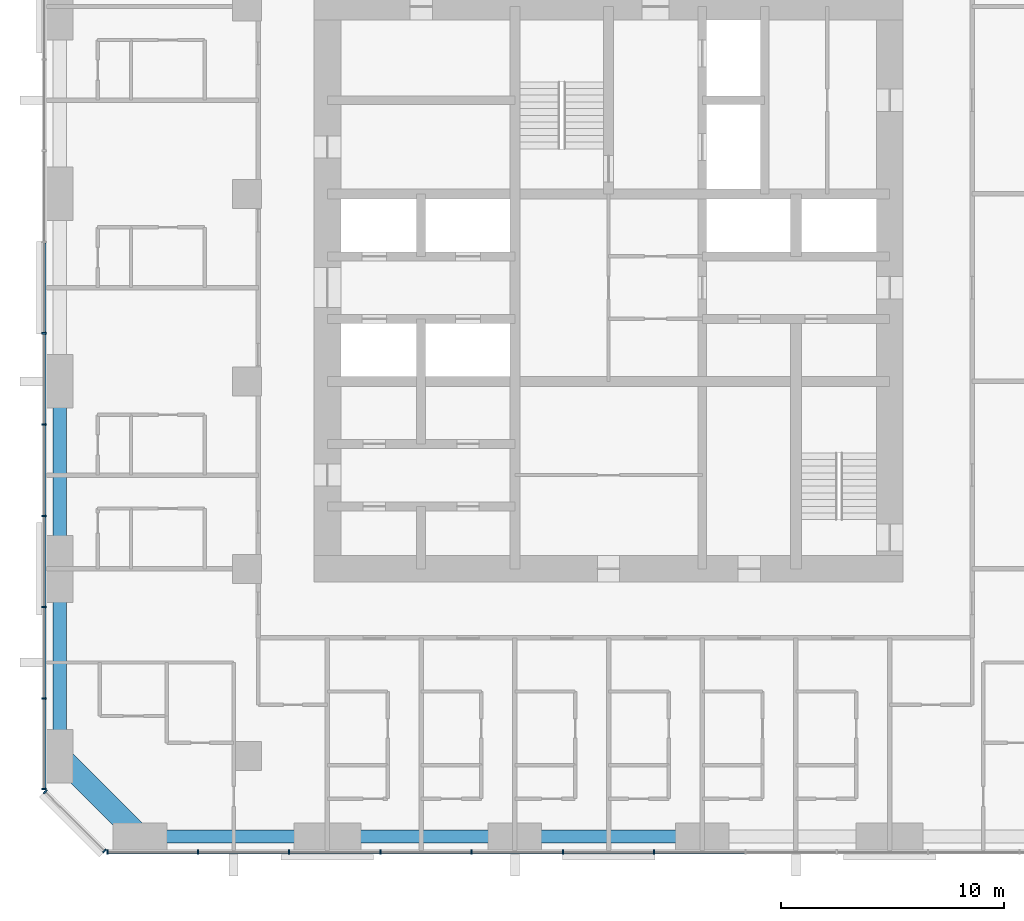
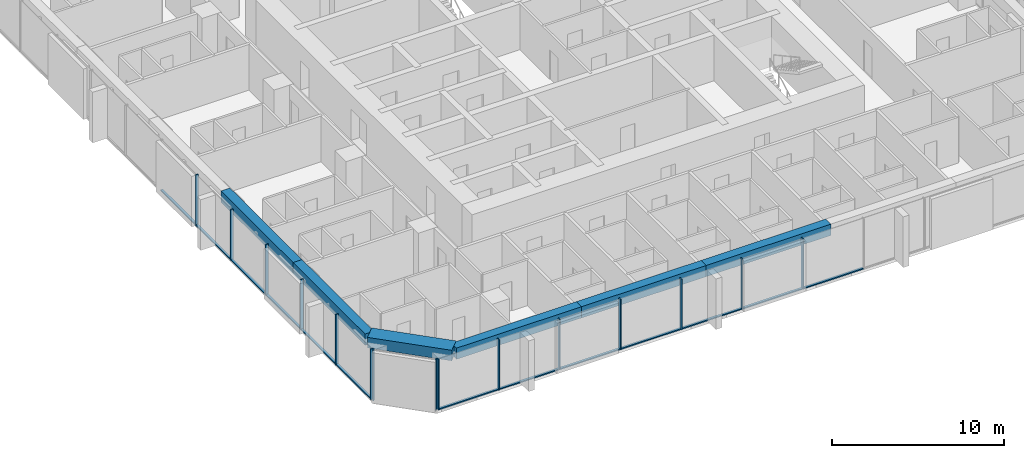
# One storey, part 2 of 14: 28 members, 6 beams, 3 elements without a shape of their own.
"""IFC4 building model written with IfcOpenShell, lengths in metres."""

from ifc_helpers import new_model, si_unit, direction, frame, origin, origin_2d, place, context, subcontext, project, spatial, rectangle, extrude, material, material_profile, profile_set, type_object, element, aggregate, save


model = new_model("IFC4")

# Units and contexts
model_context = context("Model", 3, precision=1e-05, world=origin(), true_north=direction((0.0, 1.0)))
body_context = subcontext(model_context, "Body", "Model", "MODEL_VIEW")
ifc_project = project(units=[si_unit("LENGTHUNIT", "METRE"), si_unit("AREAUNIT", "SQUARE_METRE"), si_unit("VOLUMEUNIT", "CUBIC_METRE"), si_unit("PLANEANGLEUNIT", "RADIAN"), si_unit("MASSUNIT", "GRAM", prefix="KILO")], contexts=[model_context])

# Site, building, storey
site_placement = place(None, origin())
site = spatial("IfcSite", under=ifc_project, at=site_placement, CompositionType="ELEMENT")
building_placement = place(site_placement, origin())
building = spatial("IfcBuilding", under=site, at=building_placement, Name="Dunama Terrace Hotel", CompositionType="ELEMENT")
storey_placement = place(building_placement, frame((0.0, 0.0, 213.0)))
storey = spatial("IfcBuildingStorey", under=building, at=storey_placement, Name="L55", CompositionType="ELEMENT", Elevation=213.0)

# Curtain wall, members
ifc_material_1 = material(Name="Aluminium curtain wall system", Category="aluminium")
curtain_wall_type = type_object("IfcCurtainWallType", Name="Unitised fritted glass wall CW-C", PredefinedType="NOTDEFINED", material=ifc_material_1)
curtain_wall_1_placement = place(storey_placement, origin())
curtain_wall_1 = element("IfcCurtainWall", 1, at=curtain_wall_1_placement, inside=storey, type_object=curtain_wall_type, Name="Unitised fritted glass wall CW-C L55", PredefinedType="NOTDEFINED")
ifc_material_2 = material(Name="Aluminium mullion", Category="aluminium")
ifc_material_profile_1 = material_profile(ifc_material_2, rectangle(XDim=0.070068359375, YDim=0.199951171875, at=origin_2d()), Name="CWC MULLION 70X200")
ifc_profile_set_1 = profile_set([ifc_material_profile_1], Name="Aluminium mullion")
member_type_1 = type_object("IfcMemberType", Name="CWC mullion 70x200", PredefinedType="MULLION", material=ifc_profile_set_1)
member_1_placement = place(storey_placement, frame((6.93505859375, 4.10009765625, 0.0), z_axis=(0.0, 0.0, 1.0), x_axis=(1.0, 0.0, 0.0)))
member_1 = element("IfcMember", 2, at=member_1_placement, type_object=member_type_1, Name="CWC mullion", PredefinedType="MULLION", context=body_context, shape_type="SweptSolid", body=[
    extrude(rectangle(XDim=0.070068359375, YDim=0.199951171875, at=origin_2d()), origin(), (0.0, 0.0, 1.0), 3.60009765625),
])
member_2_placement = place(storey_placement, frame((10.990966796875, 4.10009765625, 0.0), z_axis=(0.0, 0.0, 1.0), x_axis=(1.0, 0.0, 0.0)))
member_2 = element("IfcMember", 3, at=member_2_placement, type_object=member_type_1, Name="CWC mullion", PredefinedType="MULLION", context=body_context, shape_type="SweptSolid", body=[
    extrude(rectangle(XDim=0.070068359375, YDim=0.199951171875, at=origin_2d()), origin(), (0.0, 0.0, 1.0), 3.60009765625),
])
member_3_placement = place(storey_placement, frame((15.08203125, 4.10009765625, 0.0), z_axis=(0.0, 0.0, 1.0), x_axis=(1.0, 0.0, 0.0)))
member_3 = element("IfcMember", 4, at=member_3_placement, type_object=member_type_1, Name="CWC mullion", PredefinedType="MULLION", context=body_context, shape_type="SweptSolid", body=[
    extrude(rectangle(XDim=0.070068359375, YDim=0.199951171875, at=origin_2d()), origin(), (0.0, 0.0, 1.0), 3.60009765625),
])
member_4_placement = place(storey_placement, frame((19.173095703125, 4.10009765625, 0.0), z_axis=(0.0, 0.0, 1.0), x_axis=(1.0, 0.0, 0.0)))
member_4 = element("IfcMember", 5, at=member_4_placement, type_object=member_type_1, Name="CWC mullion", PredefinedType="MULLION", context=body_context, shape_type="SweptSolid", body=[
    extrude(rectangle(XDim=0.070068359375, YDim=0.199951171875, at=origin_2d()), origin(), (0.0, 0.0, 1.0), 3.60009765625),
])
member_5_placement = place(storey_placement, frame((23.263916015625, 4.10009765625, 0.0), z_axis=(0.0, 0.0, 1.0), x_axis=(1.0, 0.0, 0.0)))
member_5 = element("IfcMember", 6, at=member_5_placement, type_object=member_type_1, Name="CWC mullion", PredefinedType="MULLION", context=body_context, shape_type="SweptSolid", body=[
    extrude(rectangle(XDim=0.070068359375, YDim=0.199951171875, at=origin_2d()), origin(), (0.0, 0.0, 1.0), 3.60009765625),
])
member_6_placement = place(storey_placement, frame((27.35498046875, 4.10009765625, 0.0), z_axis=(0.0, 0.0, 1.0), x_axis=(1.0, 0.0, 0.0)))
member_6 = element("IfcMember", 7, at=member_6_placement, type_object=member_type_1, Name="CWC mullion", PredefinedType="MULLION", context=body_context, shape_type="SweptSolid", body=[
    extrude(rectangle(XDim=0.070068359375, YDim=0.199951171875, at=origin_2d()), origin(), (0.0, 0.0, 1.0), 3.60009765625),
])
member_7_placement = place(storey_placement, frame((31.445068359375, 4.10009765625, 0.0), z_axis=(0.0, 0.0, 1.0), x_axis=(1.0, 0.0, 0.0)))
member_7 = element("IfcMember", 8, at=member_7_placement, type_object=member_type_1, Name="CWC mullion", PredefinedType="MULLION", context=body_context, shape_type="SweptSolid", body=[
    extrude(rectangle(XDim=0.070068359375, YDim=0.199951171875, at=origin_2d()), origin(), (0.0, 0.0, 1.0), 3.60009765625),
])

curtain_wall_2_placement = place(storey_placement, origin())
curtain_wall_2 = element("IfcCurtainWall", 9, at=curtain_wall_2_placement, inside=storey, type_object=curtain_wall_type, Name="Unitised fritted glass wall CW-C L55", PredefinedType="NOTDEFINED")
member_8_placement = place(storey_placement, frame((4.10009765625, 27.35498046875, 0.0), z_axis=(0.0, 0.0, 1.0), x_axis=(0.0, -1.0, 0.0)))
member_8 = element("IfcMember", 10, at=member_8_placement, type_object=member_type_1, Name="CWC mullion", PredefinedType="MULLION", context=body_context, shape_type="SweptSolid", body=[
    extrude(rectangle(XDim=0.070068359375, YDim=0.199951171875, at=origin_2d()), origin(), (0.0, 0.0, 1.0), 3.60009765625),
])
member_9_placement = place(storey_placement, frame((4.10009765625, 23.263916015625, 0.0), z_axis=(0.0, 0.0, 1.0), x_axis=(0.0, -1.0, 0.0)))
member_9 = element("IfcMember", 11, at=member_9_placement, type_object=member_type_1, Name="CWC mullion", PredefinedType="MULLION", context=body_context, shape_type="SweptSolid", body=[
    extrude(rectangle(XDim=0.070068359375, YDim=0.199951171875, at=origin_2d()), origin(), (0.0, 0.0, 1.0), 3.60009765625),
])
member_10_placement = place(storey_placement, frame((4.10009765625, 19.173095703125, 0.0), z_axis=(0.0, 0.0, 1.0), x_axis=(0.0, -1.0, 0.0)))
member_10 = element("IfcMember", 12, at=member_10_placement, type_object=member_type_1, Name="CWC mullion", PredefinedType="MULLION", context=body_context, shape_type="SweptSolid", body=[
    extrude(rectangle(XDim=0.070068359375, YDim=0.199951171875, at=origin_2d()), origin(), (0.0, 0.0, 1.0), 3.60009765625),
])
member_11_placement = place(storey_placement, frame((4.10009765625, 15.08203125, 0.0), z_axis=(0.0, 0.0, 1.0), x_axis=(0.0, -1.0, 0.0)))
member_11 = element("IfcMember", 13, at=member_11_placement, type_object=member_type_1, Name="CWC mullion", PredefinedType="MULLION", context=body_context, shape_type="SweptSolid", body=[
    extrude(rectangle(XDim=0.070068359375, YDim=0.199951171875, at=origin_2d()), origin(), (0.0, 0.0, 1.0), 3.60009765625),
])
member_12_placement = place(storey_placement, frame((4.10009765625, 10.990966796875, 0.0), z_axis=(0.0, 0.0, 1.0), x_axis=(0.0, -1.0, 0.0)))
member_12 = element("IfcMember", 14, at=member_12_placement, type_object=member_type_1, Name="CWC mullion", PredefinedType="MULLION", context=body_context, shape_type="SweptSolid", body=[
    extrude(rectangle(XDim=0.070068359375, YDim=0.199951171875, at=origin_2d()), origin(), (0.0, 0.0, 1.0), 3.60009765625),
])
member_13_placement = place(storey_placement, frame((4.10009765625, 6.93505859375, 0.0), z_axis=(0.0, 0.0, 1.0), x_axis=(0.0, -1.0, 0.0)))
member_13 = element("IfcMember", 15, at=member_13_placement, type_object=member_type_1, Name="CWC mullion", PredefinedType="MULLION", context=body_context, shape_type="SweptSolid", body=[
    extrude(rectangle(XDim=0.070068359375, YDim=0.199951171875, at=origin_2d()), origin(), (0.0, 0.0, 1.0), 3.60009765625),
])

curtain_wall_3_placement = place(storey_placement, origin())
curtain_wall_3 = element("IfcCurtainWall", 16, at=curtain_wall_3_placement, inside=storey, type_object=curtain_wall_type, Name="Unitised fritted glass wall CW-C L55", PredefinedType="NOTDEFINED")
member_14_placement = place(storey_placement, frame((4.154052734375, 6.804931640625, 0.0), z_axis=(0.0, 0.0, 1.0), x_axis=(0.707106781187, -0.707106781187, 0.0)))
member_14 = element("IfcMember", 17, at=member_14_placement, type_object=member_type_1, Name="CWC mullion", PredefinedType="MULLION", context=body_context, shape_type="SweptSolid", body=[
    extrude(rectangle(XDim=0.070068359375, YDim=0.199951171875, at=origin_2d()), origin(), (0.0, 0.0, 1.0), 3.60009765625),
])
member_15_placement = place(storey_placement, frame((6.804931640625, 4.154052734375, 0.0), z_axis=(0.0, 0.0, 1.0), x_axis=(0.707106781187, -0.707106781187, 0.0)))
member_15 = element("IfcMember", 18, at=member_15_placement, type_object=member_type_1, Name="CWC mullion", PredefinedType="MULLION", context=body_context, shape_type="SweptSolid", body=[
    extrude(rectangle(XDim=0.070068359375, YDim=0.199951171875, at=origin_2d()), origin(), (0.0, 0.0, 1.0), 3.60009765625),
])
aggregate(curtain_wall_3, [member_14, member_15])

# Member
ifc_material_3 = material(Name="Aluminium transom", Category="aluminium")
ifc_material_profile_2 = material_profile(ifc_material_3, rectangle(XDim=0.159912109375, YDim=0.080078125, at=origin_2d()), Name="CWC TRANSOM 160X80")
ifc_profile_set_2 = profile_set([ifc_material_profile_2], Name="Aluminium transom")
member_type_2 = type_object("IfcMemberType", Name="CWC transom 160x80", PredefinedType="USERDEFINED", material=ifc_profile_set_2)
member_16_placement = place(storey_placement, frame((6.969970703125, 4.10009765625, 0.0400390625), z_axis=(1.0, 0.0, 0.0), x_axis=(0.0, 1.0, 0.0)))
member_16 = element("IfcMember", 19, at=member_16_placement, type_object=member_type_2, Name="CWC transom", ObjectType="TRANSOM", PredefinedType="USERDEFINED", context=body_context, shape_type="SweptSolid", body=[
    extrude(rectangle(XDim=0.159912109375, YDim=0.080078125, at=origin_2d()), origin(), (0.0, 0.0, 1.0), 3.986083984375),
])

member_17_placement = place(storey_placement, frame((11.02587890625, 4.10009765625, 0.0400390625), z_axis=(1.0, 0.0, 0.0), x_axis=(0.0, 1.0, 0.0)))
member_17 = element("IfcMember", 20, at=member_17_placement, type_object=member_type_2, Name="CWC transom", ObjectType="TRANSOM", PredefinedType="USERDEFINED", context=body_context, shape_type="SweptSolid", body=[
    extrude(rectangle(XDim=0.159912109375, YDim=0.080078125, at=origin_2d()), origin(), (0.0, 0.0, 1.0), 4.021240234375),
])

member_18_placement = place(storey_placement, frame((15.116943359375, 4.10009765625, 0.0400390625), z_axis=(1.0, 0.0, 0.0), x_axis=(0.0, 1.0, 0.0)))
member_18 = element("IfcMember", 21, at=member_18_placement, type_object=member_type_2, Name="CWC transom", ObjectType="TRANSOM", PredefinedType="USERDEFINED", context=body_context, shape_type="SweptSolid", body=[
    extrude(rectangle(XDim=0.159912109375, YDim=0.080078125, at=origin_2d()), origin(), (0.0, 0.0, 1.0), 4.02099609375),
])

member_19_placement = place(storey_placement, frame((19.2080078125, 4.10009765625, 0.0400390625), z_axis=(1.0, 0.0, 0.0), x_axis=(0.0, 1.0, 0.0)))
member_19 = element("IfcMember", 22, at=member_19_placement, type_object=member_type_2, Name="CWC transom", ObjectType="TRANSOM", PredefinedType="USERDEFINED", context=body_context, shape_type="SweptSolid", body=[
    extrude(rectangle(XDim=0.159912109375, YDim=0.080078125, at=origin_2d()), origin(), (0.0, 0.0, 1.0), 4.02099609375),
])

member_20_placement = place(storey_placement, frame((23.299072265625, 4.10009765625, 0.0400390625), z_axis=(1.0, 0.0, 0.0), x_axis=(0.0, 1.0, 0.0)))
member_20 = element("IfcMember", 23, at=member_20_placement, type_object=member_type_2, Name="CWC transom", ObjectType="TRANSOM", PredefinedType="USERDEFINED", context=body_context, shape_type="SweptSolid", body=[
    extrude(rectangle(XDim=0.159912109375, YDim=0.080078125, at=origin_2d()), origin(), (0.0, 0.0, 1.0), 4.02099609375),
])

member_21_placement = place(storey_placement, frame((27.389892578125, 4.10009765625, 0.0400390625), z_axis=(1.0, 0.0, 0.0), x_axis=(0.0, 1.0, 0.0)))
member_21 = element("IfcMember", 24, at=member_21_placement, type_object=member_type_2, Name="CWC transom", ObjectType="TRANSOM", PredefinedType="USERDEFINED", context=body_context, shape_type="SweptSolid", body=[
    extrude(rectangle(XDim=0.159912109375, YDim=0.080078125, at=origin_2d()), origin(), (0.0, 0.0, 1.0), 4.02001953125),
])

member_22_placement = place(storey_placement, frame((31.47998046875, 4.10009765625, 0.0400390625), z_axis=(1.0, 0.0, 0.0), x_axis=(0.0, 1.0, 0.0)))
member_22 = element("IfcMember", 25, at=member_22_placement, type_object=member_type_2, Name="CWC transom", ObjectType="TRANSOM", PredefinedType="USERDEFINED", context=body_context, shape_type="SweptSolid", body=[
    extrude(rectangle(XDim=0.159912109375, YDim=0.080078125, at=origin_2d()), origin(), (0.0, 0.0, 1.0), 4.02099609375),
])

aggregate(curtain_wall_1, [member_1, member_2, member_3, member_4, member_5, member_6, member_7, member_16, member_17, member_18, member_19, member_20, member_21, member_22])

member_23_placement = place(storey_placement, frame((4.10009765625, 31.409912109375, 0.0400390625), z_axis=(0.0, -1.0, 0.0), x_axis=(1.0, 0.0, 0.0)))
member_23 = element("IfcMember", 26, at=member_23_placement, type_object=member_type_2, Name="CWC transom", ObjectType="TRANSOM", PredefinedType="USERDEFINED", context=body_context, shape_type="SweptSolid", body=[
    extrude(rectangle(XDim=0.159912109375, YDim=0.080078125, at=origin_2d()), origin(), (0.0, 0.0, 1.0), 4.02001953125),
])

member_24_placement = place(storey_placement, frame((4.10009765625, 27.320068359375, 0.0400390625), z_axis=(0.0, -1.0, 0.0), x_axis=(1.0, 0.0, 0.0)))
member_24 = element("IfcMember", 27, at=member_24_placement, type_object=member_type_2, Name="CWC transom", ObjectType="TRANSOM", PredefinedType="USERDEFINED", context=body_context, shape_type="SweptSolid", body=[
    extrude(rectangle(XDim=0.159912109375, YDim=0.080078125, at=origin_2d()), origin(), (0.0, 0.0, 1.0), 4.02099609375),
])

member_25_placement = place(storey_placement, frame((4.10009765625, 23.22900390625, 0.0400390625), z_axis=(0.0, -1.0, 0.0), x_axis=(1.0, 0.0, 0.0)))
member_25 = element("IfcMember", 28, at=member_25_placement, type_object=member_type_2, Name="CWC transom", ObjectType="TRANSOM", PredefinedType="USERDEFINED", context=body_context, shape_type="SweptSolid", body=[
    extrude(rectangle(XDim=0.159912109375, YDim=0.080078125, at=origin_2d()), origin(), (0.0, 0.0, 1.0), 4.02099609375),
])

member_26_placement = place(storey_placement, frame((4.10009765625, 19.137939453125, 0.0400390625), z_axis=(0.0, -1.0, 0.0), x_axis=(1.0, 0.0, 0.0)))
member_26 = element("IfcMember", 29, at=member_26_placement, type_object=member_type_2, Name="CWC transom", ObjectType="TRANSOM", PredefinedType="USERDEFINED", context=body_context, shape_type="SweptSolid", body=[
    extrude(rectangle(XDim=0.159912109375, YDim=0.080078125, at=origin_2d()), origin(), (0.0, 0.0, 1.0), 4.02099609375),
])

member_27_placement = place(storey_placement, frame((4.10009765625, 15.047119140625, 0.0400390625), z_axis=(0.0, -1.0, 0.0), x_axis=(1.0, 0.0, 0.0)))
member_27 = element("IfcMember", 30, at=member_27_placement, type_object=member_type_2, Name="CWC transom", ObjectType="TRANSOM", PredefinedType="USERDEFINED", context=body_context, shape_type="SweptSolid", body=[
    extrude(rectangle(XDim=0.159912109375, YDim=0.080078125, at=origin_2d()), origin(), (0.0, 0.0, 1.0), 4.021240234375),
])

member_28_placement = place(storey_placement, frame((4.10009765625, 10.9560546875, 0.0400390625), z_axis=(0.0, -1.0, 0.0), x_axis=(1.0, 0.0, 0.0)))
member_28 = element("IfcMember", 31, at=member_28_placement, type_object=member_type_2, Name="CWC transom", ObjectType="TRANSOM", PredefinedType="USERDEFINED", context=body_context, shape_type="SweptSolid", body=[
    extrude(rectangle(XDim=0.159912109375, YDim=0.080078125, at=origin_2d()), origin(), (0.0, 0.0, 1.0), 3.986083984375),
])

aggregate(curtain_wall_2, [member_8, member_9, member_10, member_11, member_12, member_13, member_23, member_24, member_25, member_26, member_27, member_28])

# Beams
ifc_material_4 = material(Name="Concrete C50/60", Category="concrete")
ifc_material_profile_3 = material_profile(ifc_material_4, rectangle(XDim=1.0, YDim=0.75, at=origin_2d()), Name="RC 1000x750")
ifc_profile_set_3 = profile_set([ifc_material_profile_3], Name="Concrete C50/60")
beam_type_1 = type_object("IfcBeamType", Name="Edge beam RC 1000x750", PredefinedType="SPANDREL", material=ifc_profile_set_3)
beam_1_placement = place(storey_placement, frame((8.39990234375, 4.800048828125, 3.22509765625), z_axis=(-0.707106781187, 0.707106781187, 0.0), x_axis=(-0.707106781187, -0.707106781187, 0.0)))
element("IfcBeam", 32, at=beam_1_placement, inside=storey, type_object=beam_type_1, Name="Corner edge beam under L56", PredefinedType="SPANDREL", context=body_context, shape_type="SweptSolid", body=[
    extrude(rectangle(XDim=1.0, YDim=0.75, at=origin_2d()), origin(), (0.0, 0.0, 1.0), 5.091064453125),
])
ifc_material_5 = material(Name="Concrete C40/50", Category="concrete")
ifc_material_profile_4 = material_profile(ifc_material_5, rectangle(XDim=0.60009765625, YDim=0.800048828125, at=origin_2d()), Name="RC 600x800")
ifc_profile_set_4 = profile_set([ifc_material_profile_4], Name="Concrete C40/50")
beam_type_2 = type_object("IfcBeamType", Name="Edge beam RC 600x800", PredefinedType="SPANDREL", material=ifc_profile_set_4)
beam_2_placement = place(storey_placement, frame((4.800048828125, 8.39990234375, 3.199951171875), z_axis=(0.0, 1.0, 0.0), x_axis=(-1.0, 0.0, 0.0)))
element("IfcBeam", 33, at=beam_2_placement, inside=storey, type_object=beam_type_2, Name="Edge beam under L56", PredefinedType="SPANDREL", context=body_context, shape_type="SweptSolid", body=[
    extrude(rectangle(XDim=0.60009765625, YDim=0.800048828125, at=origin_2d()), origin(), (0.0, 0.0, 1.0), 8.400146484375),
])
beam_3_placement = place(storey_placement, frame((4.800048828125, 16.800048828125, 3.199951171875), z_axis=(0.0, 1.0, 0.0), x_axis=(-1.0, 0.0, 0.0)))
element("IfcBeam", 34, at=beam_3_placement, inside=storey, type_object=beam_type_2, Name="Edge beam under L56", PredefinedType="SPANDREL", context=body_context, shape_type="SweptSolid", body=[
    extrude(rectangle(XDim=0.60009765625, YDim=0.800048828125, at=origin_2d()), origin(), (0.0, 0.0, 1.0), 8.39990234375),
])
beam_4_placement = place(storey_placement, frame((8.39990234375, 4.800048828125, 3.199951171875), z_axis=(1.0, 0.0, 0.0), x_axis=(0.0, 1.0, 0.0)))
element("IfcBeam", 35, at=beam_4_placement, inside=storey, type_object=beam_type_2, Name="Edge beam under L56", PredefinedType="SPANDREL", context=body_context, shape_type="SweptSolid", body=[
    extrude(rectangle(XDim=0.60009765625, YDim=0.800048828125, at=origin_2d()), origin(), (0.0, 0.0, 1.0), 8.400146484375),
])
beam_5_placement = place(storey_placement, frame((16.800048828125, 4.800048828125, 3.199951171875), z_axis=(1.0, 0.0, 0.0), x_axis=(0.0, 1.0, 0.0)))
element("IfcBeam", 36, at=beam_5_placement, inside=storey, type_object=beam_type_2, Name="Edge beam under L56", PredefinedType="SPANDREL", context=body_context, shape_type="SweptSolid", body=[
    extrude(rectangle(XDim=0.60009765625, YDim=0.800048828125, at=origin_2d()), origin(), (0.0, 0.0, 1.0), 8.39990234375),
])
beam_6_placement = place(storey_placement, frame((25.199951171875, 4.800048828125, 3.199951171875), z_axis=(1.0, 0.0, 0.0), x_axis=(0.0, 1.0, 0.0)))
element("IfcBeam", 37, at=beam_6_placement, inside=storey, type_object=beam_type_2, Name="Edge beam under L56", PredefinedType="SPANDREL", context=body_context, shape_type="SweptSolid", body=[
    extrude(rectangle(XDim=0.60009765625, YDim=0.800048828125, at=origin_2d()), origin(), (0.0, 0.0, 1.0), 8.400146484375),
])

save(model, "model.ifc")
